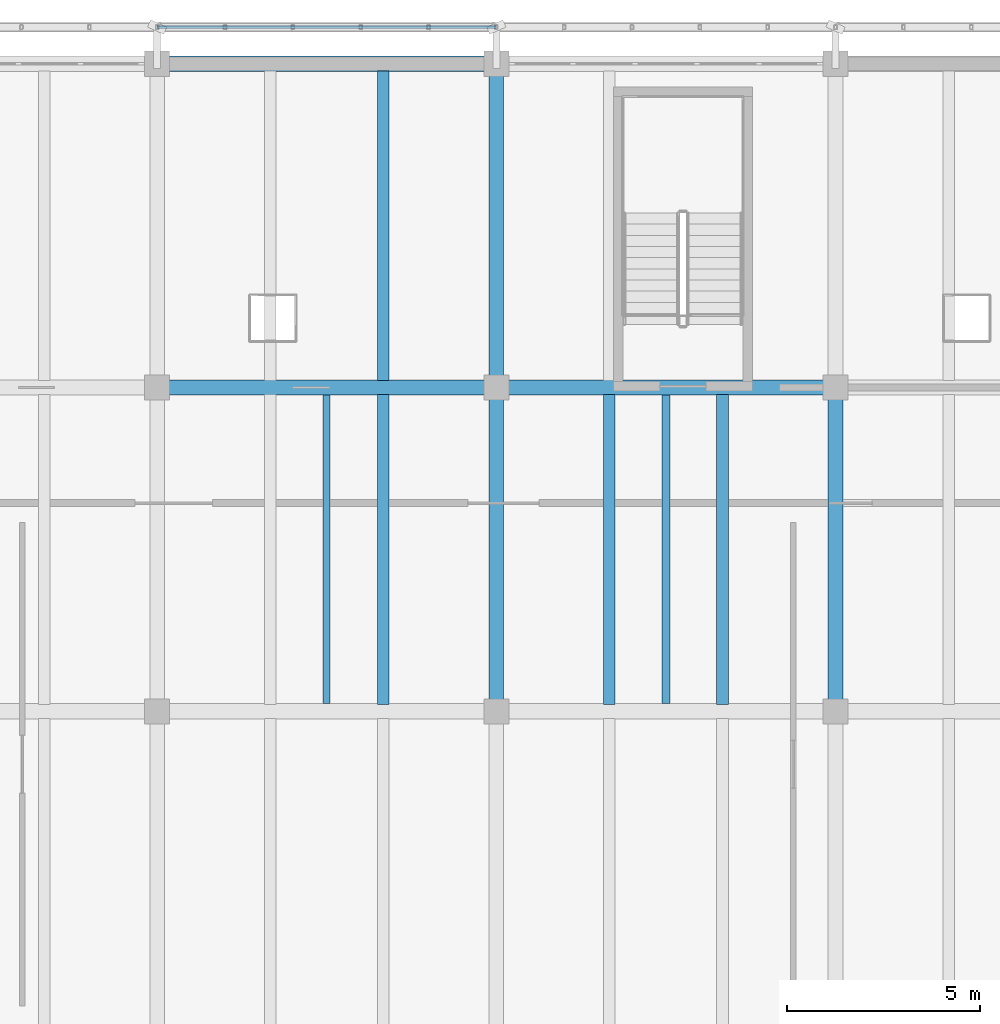
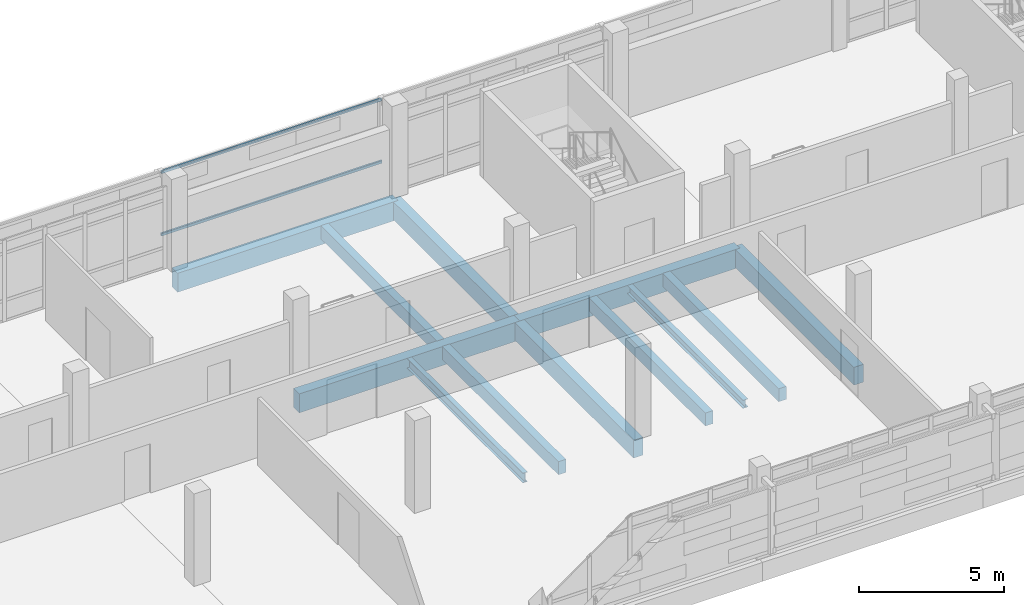
# One storey, part 68 of 117: 12 beams, 2 members.
"""IFC4 building model written with IfcOpenShell, lengths in metres."""

from ifc_helpers import new_model, si_unit, direction, frame, origin, origin_2d, place, context, subcontext, project, spatial, rectangle, hollow_rectangle, i_section, extrude, material, material_profile, profile_set, type_object, element, save


model = new_model("IFC4")

# Units and contexts
model_context = context("Model", 3, precision=1e-05, world=origin(), true_north=direction((0.0, 1.0)))
body_context = subcontext(model_context, "Body", "Model", "MODEL_VIEW")
ifc_project = project(units=[si_unit("LENGTHUNIT", "METRE"), si_unit("AREAUNIT", "SQUARE_METRE"), si_unit("VOLUMEUNIT", "CUBIC_METRE"), si_unit("PLANEANGLEUNIT", "RADIAN"), si_unit("MASSUNIT", "GRAM", prefix="KILO")], contexts=[model_context])

# Site, building, storey
site_placement = place(None, origin())
site = spatial("IfcSite", under=ifc_project, at=site_placement, CompositionType="ELEMENT")
building_placement = place(site_placement, origin())
building = spatial("IfcBuilding", under=site, at=building_placement, Name="Cinderway Yard Community Centre", CompositionType="ELEMENT")
storey_placement = place(building_placement, frame((0.0, 0.0, 9.0)))
storey = spatial("IfcBuildingStorey", under=building, at=storey_placement, Name="L02", CompositionType="ELEMENT", Elevation=9.0)

# Members
ifc_material_1 = material(Name="Steel S355", Category="steel")
ifc_material_profile_1 = material_profile(ifc_material_1, hollow_rectangle(XDim=0.080078125, YDim=0.1201171875, WallThickness=0.00634765625, InnerFilletRadius=0.00634765625, OuterFilletRadius=0.0126953125, at=origin_2d()), Name="Steel S355")
ifc_profile_set_1 = profile_set([ifc_material_profile_1], Name="Steel S355")
member_type = type_object("IfcMemberType", Name="ENV-MEM-SCREEN-RAIL-120", PredefinedType="STRINGER", material=ifc_profile_set_1)
for number, where, z_axis, x_axis, name in (
    (1, (101.60009765625, 116.14990234375, 0.7099609375), (1.0, 0.0, 0.0), (0.0, 1.0, 0.0), "Screen support rail 0155-BOT"),
    (2, (101.60009765625, 116.14990234375, 3.340087890625), (1.0, 0.0, 0.0), (0.0, 1.0, 0.0), "Screen support rail 0156-TOP"),
):
    element("IfcMember", number, at=place(storey_placement, frame(where, z_axis=z_axis, x_axis=x_axis)), inside=storey, type_object=member_type, Name=name, PredefinedType="STRINGER", context=body_context, shape_type="SweptSolid", body=[
        extrude(hollow_rectangle(XDim=0.080078125, YDim=0.1201171875, WallThickness=0.00634765625, InnerFilletRadius=0.00634765625, OuterFilletRadius=0.0126953125, at=origin_2d()), origin(), (0.0, 0.0, 1.0), 8.7998046875),
    ])

# Beams
ifc_material_2 = material(Name="Concrete C35/45", Category="concrete")
ifc_material_profile_2 = material_profile(ifc_material_2, rectangle(XDim=0.300048828125, YDim=0.550048828125, at=origin_2d()), Name="Concrete C35/45")
ifc_profile_set_2 = profile_set([ifc_material_profile_2], Name="Concrete C35/45")
beam_type_1 = type_object("IfcBeamType", Name="STR-BM-RC300X550", PredefinedType="JOIST", material=ifc_profile_set_2)
beam_1_placement = place(storey_placement, frame((107.467041015625, 98.58203125, -0.514892578125), z_axis=(0.0, 1.0, 0.0), x_axis=(-1.0, 0.0, 0.0)))
element("IfcBeam", 3, at=beam_1_placement, inside=storey, type_object=beam_type_1, Name="Secondary joist STR-BM-L02-BJ03-0624", PredefinedType="JOIST", context=body_context, shape_type="SweptSolid", body=[
    extrude(rectangle(XDim=0.300048828125, YDim=0.550048828125, at=origin_2d()), origin(), (0.0, 0.0, 1.0), 8.035888671875),
])
beam_2_placement = place(storey_placement, frame((107.467041015625, 106.98193359375, -0.514892578125), z_axis=(0.0, 1.0, 0.0), x_axis=(-1.0, 0.0, 0.0)))
element("IfcBeam", 4, at=beam_2_placement, inside=storey, type_object=beam_type_1, Name="Secondary joist STR-BM-L02-BJ03-0626", PredefinedType="JOIST", context=body_context, shape_type="SweptSolid", body=[
    extrude(rectangle(XDim=0.300048828125, YDim=0.550048828125, at=origin_2d()), origin(), (0.0, 0.0, 1.0), 8.0361328125),
])
for number, where, z_axis, x_axis, name in (
    (5, (113.3330078125, 98.58203125, -0.514892578125), (0.0, 1.0, 0.0), (-1.0, 0.0, 0.0), "Secondary joist STR-BM-L02-BJ03-0629"),
    (6, (116.26708984375, 98.58203125, -0.514892578125), (0.0, 1.0, 0.0), (-1.0, 0.0, 0.0), "Secondary joist STR-BM-L02-BJ03-0630"),
):
    element("IfcBeam", number, at=place(storey_placement, frame(where, z_axis=z_axis, x_axis=x_axis)), inside=storey, type_object=beam_type_1, Name=name, PredefinedType="JOIST", context=body_context, shape_type="SweptSolid", body=[
        extrude(rectangle(XDim=0.300048828125, YDim=0.550048828125, at=origin_2d()), origin(), (0.0, 0.0, 1.0), 8.035888671875),
    ])
ifc_material_profile_3 = material_profile(ifc_material_2, rectangle(XDim=0.3798828125, YDim=0.75, at=origin_2d()), Name="Concrete C35/45")
ifc_profile_set_3 = profile_set([ifc_material_profile_3], Name="Concrete C35/45")
beam_type_2 = type_object("IfcBeamType", Name="STR-BM-RC380X750", PredefinedType="BEAM", material=ifc_profile_set_3)
beam_3_placement = place(storey_placement, frame((110.39990234375, 98.39990234375, -0.614990234375), z_axis=(0.0, 1.0, 0.0), x_axis=(-1.0, 0.0, 0.0)))
element("IfcBeam", 7, at=beam_3_placement, inside=storey, type_object=beam_type_2, Name="Transverse girder STR-BM-L02-BG06-0569", PredefinedType="BEAM", context=body_context, shape_type="SweptSolid", body=[
    extrude(rectangle(XDim=0.3798828125, YDim=0.75, at=origin_2d()), origin(), (0.0, 0.0, 1.0), 8.400146484375),
])
beam_4_placement = place(storey_placement, frame((110.39990234375, 106.800048828125, -0.614990234375), z_axis=(0.0, 1.0, 0.0), x_axis=(-1.0, 0.0, 0.0)))
element("IfcBeam", 8, at=beam_4_placement, inside=storey, type_object=beam_type_2, Name="Transverse girder STR-BM-L02-BG06-0570", PredefinedType="BEAM", context=body_context, shape_type="SweptSolid", body=[
    extrude(rectangle(XDim=0.3798828125, YDim=0.75, at=origin_2d()), origin(), (0.0, 0.0, 1.0), 8.39990234375),
])
beam_5_placement = place(storey_placement, frame((119.199951171875, 98.39990234375, -0.614990234375), z_axis=(0.0, 1.0, 0.0), x_axis=(-1.0, 0.0, 0.0)))
element("IfcBeam", 9, at=beam_5_placement, inside=storey, type_object=beam_type_2, Name="Transverse girder STR-BM-L02-BG06-0572", PredefinedType="BEAM", context=body_context, shape_type="SweptSolid", body=[
    extrude(rectangle(XDim=0.3798828125, YDim=0.75, at=origin_2d()), origin(), (0.0, 0.0, 1.0), 8.400146484375),
])
ifc_material_3 = material(Name="Concrete C40/50", Category="concrete")
ifc_material_profile_4 = material_profile(ifc_material_3, rectangle(XDim=0.39990234375, YDim=0.800048828125, at=origin_2d()), Name="Concrete C40/50")
ifc_profile_set_4 = profile_set([ifc_material_profile_4], Name="Concrete C40/50")
beam_type_3 = type_object("IfcBeamType", Name="STR-BM-RC400X800", PredefinedType="BEAM", material=ifc_profile_set_4)
beam_6_placement = place(storey_placement, frame((101.60009765625, 106.800048828125, -0.639892578125), z_axis=(1.0, 0.0, 0.0), x_axis=(0.0, 1.0, 0.0)))
element("IfcBeam", 10, at=beam_6_placement, inside=storey, type_object=beam_type_3, Name="Primary girder STR-BM-L02-BG05-0527", PredefinedType="BEAM", context=body_context, shape_type="SweptSolid", body=[
    extrude(rectangle(XDim=0.39990234375, YDim=0.800048828125, at=origin_2d()), origin(), (0.0, 0.0, 1.0), 8.7998046875),
])
beam_7_placement = place(storey_placement, frame((110.39990234375, 106.800048828125, -0.639892578125), z_axis=(1.0, 0.0, 0.0), x_axis=(0.0, 1.0, 0.0)))
element("IfcBeam", 11, at=beam_7_placement, inside=storey, type_object=beam_type_3, Name="Primary girder STR-BM-L02-BG05-0528", PredefinedType="BEAM", context=body_context, shape_type="SweptSolid", body=[
    extrude(rectangle(XDim=0.39990234375, YDim=0.800048828125, at=origin_2d()), origin(), (0.0, 0.0, 1.0), 8.800048828125),
])
beam_8_placement = place(storey_placement, frame((101.60009765625, 115.199951171875, -0.639892578125), z_axis=(1.0, 0.0, 0.0), x_axis=(0.0, 1.0, 0.0)))
element("IfcBeam", 12, at=beam_8_placement, inside=storey, type_object=beam_type_3, Name="Primary girder STR-BM-L02-BG05-0539", PredefinedType="BEAM", context=body_context, shape_type="SweptSolid", body=[
    extrude(rectangle(XDim=0.39990234375, YDim=0.800048828125, at=origin_2d()), origin(), (0.0, 0.0, 1.0), 8.7998046875),
])
ifc_material_profile_5 = material_profile(ifc_material_1, i_section(OverallWidth=0.2041015625, OverallDepth=0.35009765625, WebThickness=0.008544921875, FlangeThickness=0.01513671875, FilletRadius=0.010986328125, at=origin_2d()), Name="Steel S355")
ifc_profile_set_5 = profile_set([ifc_material_profile_5], Name="Steel S355")
beam_type_4 = type_object("IfcBeamType", Name="STR-BM-W360X72", PredefinedType="JOIST", material=ifc_profile_set_5)
beam_9_placement = place(storey_placement, frame((114.800048828125, 98.60009765625, -0.4150390625), z_axis=(0.0, 1.0, 0.0), x_axis=(-1.0, 0.0, 0.0)))
element("IfcBeam", 13, at=beam_9_placement, inside=storey, type_object=beam_type_4, Name="Mid-bay secondary beam STR-BM-L02-SJ06-1182", PredefinedType="JOIST", context=body_context, shape_type="SweptSolid", body=[
    extrude(i_section(OverallWidth=0.2041015625, OverallDepth=0.35009765625, WebThickness=0.008544921875, FlangeThickness=0.01513671875, FilletRadius=0.010986328125, at=origin_2d()), origin(), (0.0, 0.0, 1.0), 8.0),
])
ifc_material_profile_6 = material_profile(ifc_material_1, i_section(OverallWidth=0.180908203125, OverallDepth=0.4169921875, WebThickness=0.010986328125, FlangeThickness=0.018310546875, FilletRadius=0.011962890625, at=origin_2d()), Name="Steel S355")
ifc_profile_set_6 = profile_set([ifc_material_profile_6], Name="Steel S355")
beam_type_5 = type_object("IfcBeamType", Name="STR-BM-W410X85", PredefinedType="JOIST", material=ifc_profile_set_6)
beam_10_placement = place(storey_placement, frame((106.0, 98.60009765625, -0.448974609375), z_axis=(0.0, 1.0, 0.0), x_axis=(-1.0, 0.0, 0.0)))
element("IfcBeam", 14, at=beam_10_placement, inside=storey, type_object=beam_type_5, Name="Mid-bay secondary beam STR-BM-L02-SJ05-1181", PredefinedType="JOIST", context=body_context, shape_type="SweptSolid", body=[
    extrude(i_section(OverallWidth=0.180908203125, OverallDepth=0.4169921875, WebThickness=0.010986328125, FlangeThickness=0.018310546875, FilletRadius=0.011962890625, at=origin_2d()), origin(), (0.0, 0.0, 1.0), 8.0),
])

save(model, "model.ifc")
